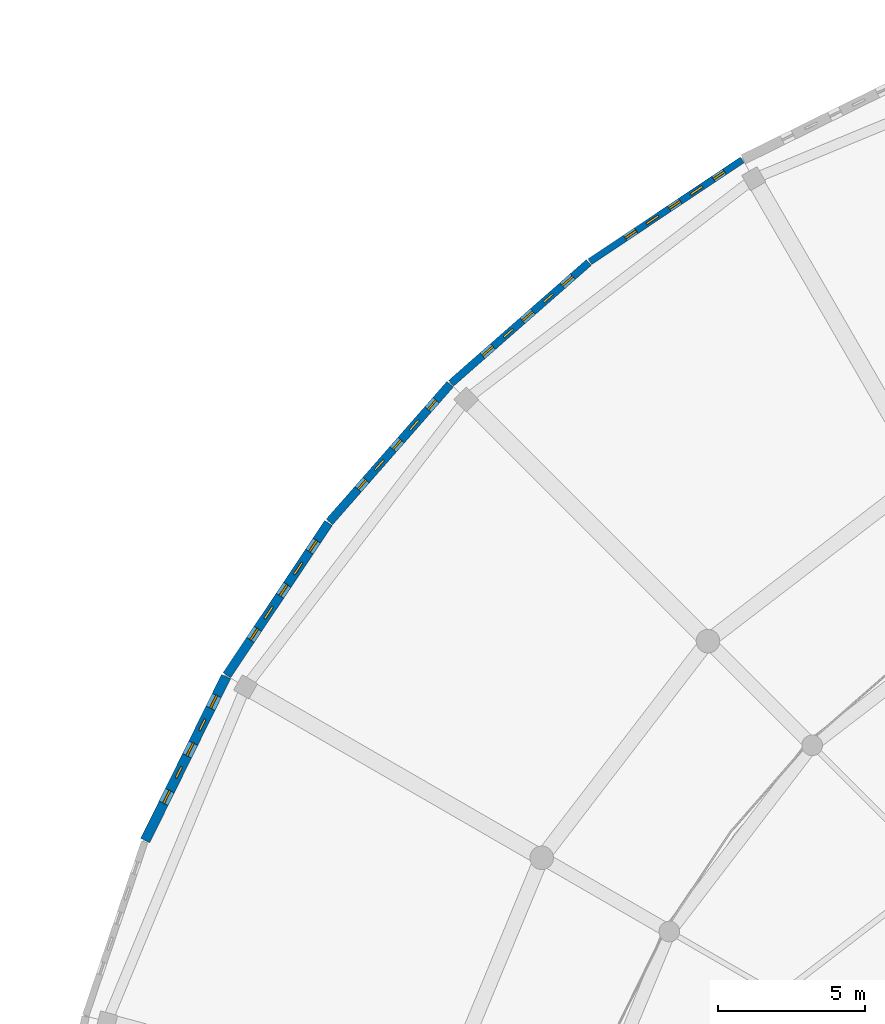
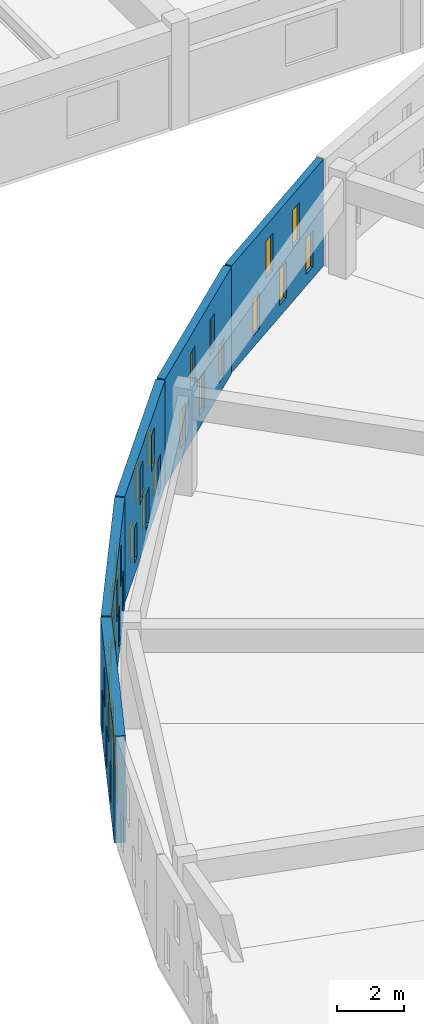
# One storey, part 63 of 98: 25 windows, 5 walls, 25 openings.
"""IFC4 building model written with IfcOpenShell, lengths in metres."""

from ifc_helpers import new_model, si_unit, direction, frame, frame_2d, origin, place, context, subcontext, project, spatial, rectangle, extrude, material, layer, layer_set, type_object, element, fill, save


model = new_model("IFC4")

# Units and contexts
model_context = context("Model", 3, precision=1e-05, world=origin(), true_north=direction((0.0, 1.0)))
body_context = subcontext(model_context, "Body", "Model", "MODEL_VIEW")
ifc_project = project(units=[si_unit("LENGTHUNIT", "METRE"), si_unit("AREAUNIT", "SQUARE_METRE"), si_unit("VOLUMEUNIT", "CUBIC_METRE"), si_unit("PLANEANGLEUNIT", "RADIAN"), si_unit("MASSUNIT", "GRAM", prefix="KILO")], contexts=[model_context])

# Site, building, storey
site_placement = place(None, origin())
site = spatial("IfcSite", under=ifc_project, at=site_placement, CompositionType="ELEMENT")
building_placement = place(site_placement, origin())
building = spatial("IfcBuilding", under=site, at=building_placement, Name="Larkveld Mobility Hub", CompositionType="ELEMENT")
storey_placement = place(building_placement, frame((0.0, 0.0, 4.5)))
storey = spatial("IfcBuildingStorey", under=building, at=storey_placement, Name="L01", CompositionType="ELEMENT", Elevation=4.5)

# Wall, openings, windows
ifc_material_1 = material(Name="Fired clay brick 25 MPa", Category="masonry")
ifc_layer_1 = layer(ifc_material_1, 0.22998046875, Name="Fired clay brick 25 MPa", Category="masonry")
ifc_layer_set_1 = layer_set([ifc_layer_1], Name="Fired clay brick 25 MPa")
wall_type_1 = type_object("IfcWallType", Name="WL-BRK-230", PredefinedType="USERDEFINED", material=ifc_layer_set_1)
wall_1_placement = place(storey_placement, frame((24.054931640625, 89.426025390625, 0.0), z_axis=(0.0, 0.0, 1.0), x_axis=(-0.831426871608, -0.555634193664, 0.0)))
wall_1 = element("IfcWall", 1, at=wall_1_placement, inside=storey, type_object=wall_type_1, Name="Drum Woven Open-Bond Brick Chord L01-0061", ObjectType="PERFORATED BRICK SCREEN", PredefinedType="USERDEFINED", context=body_context, shape_type="SweptSolid", body=[
    extrude(rectangle(XDim=6.210693359375, YDim=0.22998046875, at=frame_2d((3.10546875, 0.0))), origin(), (0.0, 0.0, 1.0), 3.89990234375),
])
opening_1_placement = place(wall_1_placement, frame((0.719970703125, 0.0, 0.419921875)))
opening_1 = element("IfcOpeningElement", 2, at=opening_1_placement, cuts=wall_1, Name="Opening W02", PredefinedType="OPENING", context=body_context, shape_type="SweptSolid", body=[
    extrude(rectangle(XDim=0.449951171875, YDim=1.320068359375, at=frame_2d((0.22509765625, 0.66015625))), frame((0.0, 0.125, 0.0), z_axis=(0.0, -1.0, 0.0), x_axis=(1.0, 0.0, 0.0)), (0.0, 0.0, 1.0), 0.25),
])
opening_2_placement = place(wall_1_placement, frame((2.52001953125, 0.0, 0.419921875)))
opening_2 = element("IfcOpeningElement", 3, at=opening_2_placement, cuts=wall_1, Name="Opening W02", PredefinedType="OPENING", context=body_context, shape_type="SweptSolid", body=[
    extrude(rectangle(XDim=0.449951171875, YDim=1.320068359375, at=frame_2d((0.22509765625, 0.66015625))), frame((0.0, 0.125, 0.0), z_axis=(0.0, -1.0, 0.0), x_axis=(1.0, 0.0, 0.0)), (0.0, 0.0, 1.0), 0.25),
])
opening_3_placement = place(wall_1_placement, frame((4.320068359375, 0.0, 0.419921875)))
opening_3 = element("IfcOpeningElement", 4, at=opening_3_placement, cuts=wall_1, Name="Opening W02", PredefinedType="OPENING", context=body_context, shape_type="SweptSolid", body=[
    extrude(rectangle(XDim=0.449951171875, YDim=1.320068359375, at=frame_2d((0.22509765625, 0.66015625))), frame((0.0, 0.125, 0.0), z_axis=(0.0, -1.0, 0.0), x_axis=(1.0, 0.0, 0.0)), (0.0, 0.0, 1.0), 0.25),
])
opening_4_placement = place(wall_1_placement, frame((1.6201171875, 0.0, 1.97998046875)))
opening_4 = element("IfcOpeningElement", 5, at=opening_4_placement, cuts=wall_1, Name="Opening W03", PredefinedType="OPENING", context=body_context, shape_type="SweptSolid", body=[
    extrude(rectangle(XDim=0.47998046875, YDim=1.360107421875, at=frame_2d((0.239990234375, 0.68017578125))), frame((0.0, 0.125, 0.0), z_axis=(0.0, -1.0, 0.0), x_axis=(1.0, 0.0, 0.0)), (0.0, 0.0, 1.0), 0.25),
])
opening_5_placement = place(wall_1_placement, frame((3.419921875, 0.0, 1.97998046875)))
opening_5 = element("IfcOpeningElement", 6, at=opening_5_placement, cuts=wall_1, Name="Opening W03", PredefinedType="OPENING", context=body_context, shape_type="SweptSolid", body=[
    extrude(rectangle(XDim=0.47998046875, YDim=1.360107421875, at=frame_2d((0.239990234375, 0.68017578125))), frame((0.0, 0.125, 0.0), z_axis=(0.0, -1.0, 0.0), x_axis=(1.0, 0.0, 0.0)), (0.0, 0.0, 1.0), 0.25),
])
ifc_material_2 = material(Name="Extruded aluminium ventilation grille", Category="aluminium")
window_type_1 = type_object("IfcWindowType", Name="WN-VENT-02", PartitioningType="SINGLE_PANEL", PredefinedType="WINDOW", material=ifc_material_2)
window_1_placement = place(opening_1_placement, origin())
window_1 = element("IfcWindow", 7, at=window_1_placement, inside=storey, type_object=window_type_1, Name="Window W02 (0291)", OverallHeight=1.320068359375, OverallWidth=0.449951171875, PartitioningType="SINGLE_PANEL", PredefinedType="WINDOW", context=body_context, shape_type="SweptSolid", body=[
    extrude(rectangle(XDim=0.449951171875, YDim=1.320068359375, at=frame_2d((0.22509765625, 0.66015625))), frame((0.0, 0.030029296875, 0.0), z_axis=(0.0, -1.0, 0.0), x_axis=(1.0, 0.0, 0.0)), (0.0, 0.0, 1.0), 0.06005859375),
])
fill(opening_1, window_1)
window_2_placement = place(opening_2_placement, origin())
window_2 = element("IfcWindow", 8, at=window_2_placement, inside=storey, type_object=window_type_1, Name="Window W02 (0292)", OverallHeight=1.320068359375, OverallWidth=0.449951171875, PartitioningType="SINGLE_PANEL", PredefinedType="WINDOW", context=body_context, shape_type="SweptSolid", body=[
    extrude(rectangle(XDim=0.449951171875, YDim=1.320068359375, at=frame_2d((0.22509765625, 0.66015625))), frame((0.0, 0.030029296875, 0.0), z_axis=(0.0, -1.0, 0.0), x_axis=(1.0, 0.0, 0.0)), (0.0, 0.0, 1.0), 0.06005859375),
])
fill(opening_2, window_2)
window_3_placement = place(opening_3_placement, origin())
window_3 = element("IfcWindow", 9, at=window_3_placement, inside=storey, type_object=window_type_1, Name="Window W02 (0293)", OverallHeight=1.320068359375, OverallWidth=0.449951171875, PartitioningType="SINGLE_PANEL", PredefinedType="WINDOW", context=body_context, shape_type="SweptSolid", body=[
    extrude(rectangle(XDim=0.449951171875, YDim=1.320068359375, at=frame_2d((0.22509765625, 0.66015625))), frame((0.0, 0.030029296875, 0.0), z_axis=(0.0, -1.0, 0.0), x_axis=(1.0, 0.0, 0.0)), (0.0, 0.0, 1.0), 0.06005859375),
])
fill(opening_3, window_3)
window_type_2 = type_object("IfcWindowType", Name="WN-VENT-03", PartitioningType="SINGLE_PANEL", PredefinedType="WINDOW", material=ifc_material_2)
window_4_placement = place(opening_4_placement, origin())
window_4 = element("IfcWindow", 10, at=window_4_placement, inside=storey, type_object=window_type_2, Name="Window W03 (0294)", OverallHeight=1.360107421875, OverallWidth=0.47998046875, PartitioningType="SINGLE_PANEL", PredefinedType="WINDOW", context=body_context, shape_type="SweptSolid", body=[
    extrude(rectangle(XDim=0.47998046875, YDim=1.360107421875, at=frame_2d((0.239990234375, 0.68017578125))), frame((0.0, 0.030029296875, 0.0), z_axis=(0.0, -1.0, 0.0), x_axis=(1.0, 0.0, 0.0)), (0.0, 0.0, 1.0), 0.06005859375),
])
fill(opening_4, window_4)
window_5_placement = place(opening_5_placement, origin())
window_5 = element("IfcWindow", 11, at=window_5_placement, inside=storey, type_object=window_type_2, Name="Window W03 (0295)", OverallHeight=1.360107421875, OverallWidth=0.47998046875, PartitioningType="SINGLE_PANEL", PredefinedType="WINDOW", context=body_context, shape_type="SweptSolid", body=[
    extrude(rectangle(XDim=0.47998046875, YDim=1.360107421875, at=frame_2d((0.239990234375, 0.68017578125))), frame((0.0, 0.030029296875, 0.0), z_axis=(0.0, -1.0, 0.0), x_axis=(1.0, 0.0, 0.0)), (0.0, 0.0, 1.0), 0.06005859375),
])
fill(opening_5, window_5)

ifc_layer_2 = layer(ifc_material_1, 0.260009765625, Name="Fired clay brick 25 MPa", Category="masonry")
ifc_layer_set_2 = layer_set([ifc_layer_2], Name="Fired clay brick 25 MPa")
wall_type_2 = type_object("IfcWallType", Name="WL-BRK-260", PredefinedType="USERDEFINED", material=ifc_layer_set_2)
wall_2_placement = place(storey_placement, frame((18.85302734375, 85.946044921875, 0.0), z_axis=(0.0, 0.0, 1.0), x_axis=(-0.751874993266, -0.65930569124, 0.0)))
wall_2 = element("IfcWall", 12, at=wall_2_placement, inside=storey, type_object=wall_type_2, Name="Drum Woven Open-Bond Brick Chord L01-0062", ObjectType="PERFORATED BRICK SCREEN", PredefinedType="USERDEFINED", context=body_context, shape_type="SweptSolid", body=[
    extrude(rectangle(XDim=6.2109375, YDim=0.260009765625, at=frame_2d((3.10546875, 0.0))), origin(), (0.0, 0.0, 1.0), 3.89990234375),
])
opening_6_placement = place(wall_2_placement, frame((0.719970703125, 0.0, 0.419921875)))
opening_6 = element("IfcOpeningElement", 13, at=opening_6_placement, cuts=wall_2, Name="Opening W03", PredefinedType="OPENING", context=body_context, shape_type="SweptSolid", body=[
    extrude(rectangle(XDim=0.47998046875, YDim=1.360107421875, at=frame_2d((0.239990234375, 0.68017578125))), frame((0.0, 0.14013671875, 0.0), z_axis=(0.0, -1.0, 0.0), x_axis=(1.0, 0.0, 0.0)), (0.0, 0.0, 1.0), 0.280029296875),
])
opening_7_placement = place(wall_2_placement, frame((2.52001953125, 0.0, 0.419921875)))
opening_7 = element("IfcOpeningElement", 14, at=opening_7_placement, cuts=wall_2, Name="Opening W03", PredefinedType="OPENING", context=body_context, shape_type="SweptSolid", body=[
    extrude(rectangle(XDim=0.47998046875, YDim=1.360107421875, at=frame_2d((0.239990234375, 0.68017578125))), frame((0.0, 0.14013671875, 0.0), z_axis=(0.0, -1.0, 0.0), x_axis=(1.0, 0.0, 0.0)), (0.0, 0.0, 1.0), 0.280029296875),
])
opening_8_placement = place(wall_2_placement, frame((4.320068359375, 0.0, 0.419921875)))
opening_8 = element("IfcOpeningElement", 15, at=opening_8_placement, cuts=wall_2, Name="Opening W03", PredefinedType="OPENING", context=body_context, shape_type="SweptSolid", body=[
    extrude(rectangle(XDim=0.47998046875, YDim=1.360107421875, at=frame_2d((0.239990234375, 0.68017578125))), frame((0.0, 0.14013671875, 0.0), z_axis=(0.0, -1.0, 0.0), x_axis=(1.0, 0.0, 0.0)), (0.0, 0.0, 1.0), 0.280029296875),
])
opening_9_placement = place(wall_2_placement, frame((1.6201171875, 0.0, 1.97998046875)))
opening_9 = element("IfcOpeningElement", 16, at=opening_9_placement, cuts=wall_2, Name="Opening W01", PredefinedType="OPENING", context=body_context, shape_type="SweptSolid", body=[
    extrude(rectangle(XDim=0.419921875, YDim=1.280029296875, at=frame_2d((0.2099609375, 0.64013671875))), frame((0.0, 0.14013671875, 0.0), z_axis=(0.0, -1.0, 0.0), x_axis=(1.0, 0.0, 0.0)), (0.0, 0.0, 1.0), 0.280029296875),
])
opening_10_placement = place(wall_2_placement, frame((3.419921875, 0.0, 1.97998046875)))
opening_10 = element("IfcOpeningElement", 17, at=opening_10_placement, cuts=wall_2, Name="Opening W01", PredefinedType="OPENING", context=body_context, shape_type="SweptSolid", body=[
    extrude(rectangle(XDim=0.419921875, YDim=1.280029296875, at=frame_2d((0.2099609375, 0.64013671875))), frame((0.0, 0.14013671875, 0.0), z_axis=(0.0, -1.0, 0.0), x_axis=(1.0, 0.0, 0.0)), (0.0, 0.0, 1.0), 0.280029296875),
])
window_type_3 = type_object("IfcWindowType", Name="WN-VENT-01", PartitioningType="SINGLE_PANEL", PredefinedType="WINDOW", material=ifc_material_2)
window_6_placement = place(opening_9_placement, origin())
window_6 = element("IfcWindow", 18, at=window_6_placement, inside=storey, type_object=window_type_3, Name="Window W01 (0299)", OverallHeight=1.280029296875, OverallWidth=0.419921875, PartitioningType="SINGLE_PANEL", PredefinedType="WINDOW", context=body_context, shape_type="SweptSolid", body=[
    extrude(rectangle(XDim=0.419921875, YDim=1.280029296875, at=frame_2d((0.2099609375, 0.64013671875))), frame((0.0, 0.030029296875, 0.0), z_axis=(0.0, -1.0, 0.0), x_axis=(1.0, 0.0, 0.0)), (0.0, 0.0, 1.0), 0.06005859375),
])
fill(opening_9, window_6)
window_7_placement = place(opening_10_placement, origin())
window_7 = element("IfcWindow", 19, at=window_7_placement, inside=storey, type_object=window_type_3, Name="Window W01 (0300)", OverallHeight=1.280029296875, OverallWidth=0.419921875, PartitioningType="SINGLE_PANEL", PredefinedType="WINDOW", context=body_context, shape_type="SweptSolid", body=[
    extrude(rectangle(XDim=0.419921875, YDim=1.280029296875, at=frame_2d((0.2099609375, 0.64013671875))), frame((0.0, 0.030029296875, 0.0), z_axis=(0.0, -1.0, 0.0), x_axis=(1.0, 0.0, 0.0)), (0.0, 0.0, 1.0), 0.06005859375),
])
fill(opening_10, window_7)
window_8_placement = place(opening_6_placement, origin())
window_8 = element("IfcWindow", 20, at=window_8_placement, inside=storey, type_object=window_type_2, Name="Window W03 (0296)", OverallHeight=1.360107421875, OverallWidth=0.47998046875, PartitioningType="SINGLE_PANEL", PredefinedType="WINDOW", context=body_context, shape_type="SweptSolid", body=[
    extrude(rectangle(XDim=0.47998046875, YDim=1.360107421875, at=frame_2d((0.239990234375, 0.68017578125))), frame((0.0, 0.030029296875, 0.0), z_axis=(0.0, -1.0, 0.0), x_axis=(1.0, 0.0, 0.0)), (0.0, 0.0, 1.0), 0.06005859375),
])
fill(opening_6, window_8)
window_9_placement = place(opening_7_placement, origin())
window_9 = element("IfcWindow", 21, at=window_9_placement, inside=storey, type_object=window_type_2, Name="Window W03 (0297)", OverallHeight=1.360107421875, OverallWidth=0.47998046875, PartitioningType="SINGLE_PANEL", PredefinedType="WINDOW", context=body_context, shape_type="SweptSolid", body=[
    extrude(rectangle(XDim=0.47998046875, YDim=1.360107421875, at=frame_2d((0.239990234375, 0.68017578125))), frame((0.0, 0.030029296875, 0.0), z_axis=(0.0, -1.0, 0.0), x_axis=(1.0, 0.0, 0.0)), (0.0, 0.0, 1.0), 0.06005859375),
])
fill(opening_7, window_9)
window_10_placement = place(opening_8_placement, origin())
window_10 = element("IfcWindow", 22, at=window_10_placement, inside=storey, type_object=window_type_2, Name="Window W03 (0298)", OverallHeight=1.360107421875, OverallWidth=0.47998046875, PartitioningType="SINGLE_PANEL", PredefinedType="WINDOW", context=body_context, shape_type="SweptSolid", body=[
    extrude(rectangle(XDim=0.47998046875, YDim=1.360107421875, at=frame_2d((0.239990234375, 0.68017578125))), frame((0.0, 0.030029296875, 0.0), z_axis=(0.0, -1.0, 0.0), x_axis=(1.0, 0.0, 0.0)), (0.0, 0.0, 1.0), 0.06005859375),
])
fill(opening_8, window_10)

ifc_layer_3 = layer(ifc_material_1, 0.2900390625, Name="Fired clay brick 25 MPa", Category="masonry")
ifc_layer_set_3 = layer_set([ifc_layer_3], Name="Fired clay brick 25 MPa")
wall_type_3 = type_object("IfcWallType", Name="WL-BRK-290", PredefinedType="USERDEFINED", material=ifc_layer_set_3)
wall_3_placement = place(storey_placement, frame((14.14892578125, 81.81689453125, 0.0), z_axis=(0.0, 0.0, 1.0), x_axis=(-0.65930569124, -0.751874993266, 0.0)))
wall_3 = element("IfcWall", 23, at=wall_3_placement, inside=storey, type_object=wall_type_3, Name="Drum Woven Open-Bond Brick Chord L01-0063", ObjectType="PERFORATED BRICK SCREEN", PredefinedType="USERDEFINED", context=body_context, shape_type="SweptSolid", body=[
    extrude(rectangle(XDim=6.2109375, YDim=0.2900390625, at=frame_2d((3.10546875, 0.0))), origin(), (0.0, 0.0, 1.0), 3.89990234375),
])
opening_11_placement = place(wall_3_placement, frame((0.719970703125, 0.0, 0.419921875)))
opening_11 = element("IfcOpeningElement", 24, at=opening_11_placement, cuts=wall_3, Name="Opening W01", PredefinedType="OPENING", context=body_context, shape_type="SweptSolid", body=[
    extrude(rectangle(XDim=0.419921875, YDim=1.280029296875, at=frame_2d((0.2099609375, 0.64013671875))), frame((0.0, 0.155029296875, 0.0), z_axis=(0.0, -1.0, 0.0), x_axis=(1.0, 0.0, 0.0)), (0.0, 0.0, 1.0), 0.31005859375),
])
opening_12_placement = place(wall_3_placement, frame((2.52001953125, 0.0, 0.419921875)))
opening_12 = element("IfcOpeningElement", 25, at=opening_12_placement, cuts=wall_3, Name="Opening W01", PredefinedType="OPENING", context=body_context, shape_type="SweptSolid", body=[
    extrude(rectangle(XDim=0.419921875, YDim=1.280029296875, at=frame_2d((0.2099609375, 0.64013671875))), frame((0.0, 0.155029296875, 0.0), z_axis=(0.0, -1.0, 0.0), x_axis=(1.0, 0.0, 0.0)), (0.0, 0.0, 1.0), 0.31005859375),
])
opening_13_placement = place(wall_3_placement, frame((4.320068359375, 0.0, 0.419921875)))
opening_13 = element("IfcOpeningElement", 26, at=opening_13_placement, cuts=wall_3, Name="Opening W01", PredefinedType="OPENING", context=body_context, shape_type="SweptSolid", body=[
    extrude(rectangle(XDim=0.419921875, YDim=1.280029296875, at=frame_2d((0.2099609375, 0.64013671875))), frame((0.0, 0.155029296875, 0.0), z_axis=(0.0, -1.0, 0.0), x_axis=(1.0, 0.0, 0.0)), (0.0, 0.0, 1.0), 0.31005859375),
])
opening_14_placement = place(wall_3_placement, frame((1.6201171875, 0.0, 1.97998046875)))
opening_14 = element("IfcOpeningElement", 27, at=opening_14_placement, cuts=wall_3, Name="Opening W02", PredefinedType="OPENING", context=body_context, shape_type="SweptSolid", body=[
    extrude(rectangle(XDim=0.449951171875, YDim=1.320068359375, at=frame_2d((0.22509765625, 0.66015625))), frame((0.0, 0.155029296875, 0.0), z_axis=(0.0, -1.0, 0.0), x_axis=(1.0, 0.0, 0.0)), (0.0, 0.0, 1.0), 0.31005859375),
])
opening_15_placement = place(wall_3_placement, frame((3.419921875, 0.0, 1.97998046875)))
opening_15 = element("IfcOpeningElement", 28, at=opening_15_placement, cuts=wall_3, Name="Opening W02", PredefinedType="OPENING", context=body_context, shape_type="SweptSolid", body=[
    extrude(rectangle(XDim=0.449951171875, YDim=1.320068359375, at=frame_2d((0.22509765625, 0.66015625))), frame((0.0, 0.155029296875, 0.0), z_axis=(0.0, -1.0, 0.0), x_axis=(1.0, 0.0, 0.0)), (0.0, 0.0, 1.0), 0.31005859375),
])
window_11_placement = place(opening_11_placement, origin())
window_11 = element("IfcWindow", 29, at=window_11_placement, inside=storey, type_object=window_type_3, Name="Window W01 (0301)", OverallHeight=1.280029296875, OverallWidth=0.419921875, PartitioningType="SINGLE_PANEL", PredefinedType="WINDOW", context=body_context, shape_type="SweptSolid", body=[
    extrude(rectangle(XDim=0.419921875, YDim=1.280029296875, at=frame_2d((0.2099609375, 0.64013671875))), frame((0.0, 0.030029296875, 0.0), z_axis=(0.0, -1.0, 0.0), x_axis=(1.0, 0.0, 0.0)), (0.0, 0.0, 1.0), 0.06005859375),
])
fill(opening_11, window_11)
window_12_placement = place(opening_12_placement, origin())
window_12 = element("IfcWindow", 30, at=window_12_placement, inside=storey, type_object=window_type_3, Name="Window W01 (0302)", OverallHeight=1.280029296875, OverallWidth=0.419921875, PartitioningType="SINGLE_PANEL", PredefinedType="WINDOW", context=body_context, shape_type="SweptSolid", body=[
    extrude(rectangle(XDim=0.419921875, YDim=1.280029296875, at=frame_2d((0.2099609375, 0.64013671875))), frame((0.0, 0.030029296875, 0.0), z_axis=(0.0, -1.0, 0.0), x_axis=(1.0, 0.0, 0.0)), (0.0, 0.0, 1.0), 0.06005859375),
])
fill(opening_12, window_12)
window_13_placement = place(opening_13_placement, origin())
window_13 = element("IfcWindow", 31, at=window_13_placement, inside=storey, type_object=window_type_3, Name="Window W01 (0303)", OverallHeight=1.280029296875, OverallWidth=0.419921875, PartitioningType="SINGLE_PANEL", PredefinedType="WINDOW", context=body_context, shape_type="SweptSolid", body=[
    extrude(rectangle(XDim=0.419921875, YDim=1.280029296875, at=frame_2d((0.2099609375, 0.64013671875))), frame((0.0, 0.030029296875, 0.0), z_axis=(0.0, -1.0, 0.0), x_axis=(1.0, 0.0, 0.0)), (0.0, 0.0, 1.0), 0.06005859375),
])
fill(opening_13, window_13)
window_14_placement = place(opening_14_placement, origin())
window_14 = element("IfcWindow", 32, at=window_14_placement, inside=storey, type_object=window_type_1, Name="Window W02 (0304)", OverallHeight=1.320068359375, OverallWidth=0.449951171875, PartitioningType="SINGLE_PANEL", PredefinedType="WINDOW", context=body_context, shape_type="SweptSolid", body=[
    extrude(rectangle(XDim=0.449951171875, YDim=1.320068359375, at=frame_2d((0.22509765625, 0.66015625))), frame((0.0, 0.030029296875, 0.0), z_axis=(0.0, -1.0, 0.0), x_axis=(1.0, 0.0, 0.0)), (0.0, 0.0, 1.0), 0.06005859375),
])
fill(opening_14, window_14)
window_15_placement = place(opening_15_placement, origin())
window_15 = element("IfcWindow", 33, at=window_15_placement, inside=storey, type_object=window_type_1, Name="Window W02 (0305)", OverallHeight=1.320068359375, OverallWidth=0.449951171875, PartitioningType="SINGLE_PANEL", PredefinedType="WINDOW", context=body_context, shape_type="SweptSolid", body=[
    extrude(rectangle(XDim=0.449951171875, YDim=1.320068359375, at=frame_2d((0.22509765625, 0.66015625))), frame((0.0, 0.030029296875, 0.0), z_axis=(0.0, -1.0, 0.0), x_axis=(1.0, 0.0, 0.0)), (0.0, 0.0, 1.0), 0.06005859375),
])
fill(opening_15, window_15)

ifc_layer_4 = layer(ifc_material_1, 0.31005859375, Name="Fired clay brick 25 MPa", Category="masonry")
ifc_layer_set_4 = layer_set([ifc_layer_4], Name="Fired clay brick 25 MPa")
wall_type_4 = type_object("IfcWallType", Name="WL-BRK-310", PredefinedType="USERDEFINED", material=ifc_layer_set_4)
wall_4_placement = place(storey_placement, frame((10.02490234375, 77.10888671875, 0.0), z_axis=(0.0, 0.0, 1.0), x_axis=(-0.555634193664, -0.831426871608, 0.0)))
wall_4 = element("IfcWall", 34, at=wall_4_placement, inside=storey, type_object=wall_type_4, Name="Drum Woven Open-Bond Brick Chord L01-0064", ObjectType="PERFORATED BRICK SCREEN", PredefinedType="USERDEFINED", context=body_context, shape_type="SweptSolid", body=[
    extrude(rectangle(XDim=6.210693359375, YDim=0.31005859375, at=frame_2d((3.10546875, 0.0))), origin(), (0.0, 0.0, 1.0), 3.89990234375),
])
opening_16_placement = place(wall_4_placement, frame((0.719970703125, 0.0, 0.419921875)))
opening_16 = element("IfcOpeningElement", 35, at=opening_16_placement, cuts=wall_4, Name="Opening W02", PredefinedType="OPENING", context=body_context, shape_type="SweptSolid", body=[
    extrude(rectangle(XDim=0.449951171875, YDim=1.320068359375, at=frame_2d((0.22509765625, 0.66015625))), frame((0.0, 0.1650390625, 0.0), z_axis=(0.0, -1.0, 0.0), x_axis=(1.0, 0.0, 0.0)), (0.0, 0.0, 1.0), 0.330078125),
])
opening_17_placement = place(wall_4_placement, frame((2.52001953125, 0.0, 0.419921875)))
opening_17 = element("IfcOpeningElement", 36, at=opening_17_placement, cuts=wall_4, Name="Opening W02", PredefinedType="OPENING", context=body_context, shape_type="SweptSolid", body=[
    extrude(rectangle(XDim=0.449951171875, YDim=1.320068359375, at=frame_2d((0.22509765625, 0.66015625))), frame((0.0, 0.1650390625, 0.0), z_axis=(0.0, -1.0, 0.0), x_axis=(1.0, 0.0, 0.0)), (0.0, 0.0, 1.0), 0.330078125),
])
opening_18_placement = place(wall_4_placement, frame((4.320068359375, 0.0, 0.419921875)))
opening_18 = element("IfcOpeningElement", 37, at=opening_18_placement, cuts=wall_4, Name="Opening W02", PredefinedType="OPENING", context=body_context, shape_type="SweptSolid", body=[
    extrude(rectangle(XDim=0.449951171875, YDim=1.320068359375, at=frame_2d((0.22509765625, 0.66015625))), frame((0.0, 0.1650390625, 0.0), z_axis=(0.0, -1.0, 0.0), x_axis=(1.0, 0.0, 0.0)), (0.0, 0.0, 1.0), 0.330078125),
])
opening_19_placement = place(wall_4_placement, frame((1.6201171875, 0.0, 1.97998046875)))
opening_19 = element("IfcOpeningElement", 38, at=opening_19_placement, cuts=wall_4, Name="Opening W03", PredefinedType="OPENING", context=body_context, shape_type="SweptSolid", body=[
    extrude(rectangle(XDim=0.47998046875, YDim=1.360107421875, at=frame_2d((0.239990234375, 0.68017578125))), frame((0.0, 0.1650390625, 0.0), z_axis=(0.0, -1.0, 0.0), x_axis=(1.0, 0.0, 0.0)), (0.0, 0.0, 1.0), 0.330078125),
])
opening_20_placement = place(wall_4_placement, frame((3.419921875, 0.0, 1.97998046875)))
opening_20 = element("IfcOpeningElement", 39, at=opening_20_placement, cuts=wall_4, Name="Opening W03", PredefinedType="OPENING", context=body_context, shape_type="SweptSolid", body=[
    extrude(rectangle(XDim=0.47998046875, YDim=1.360107421875, at=frame_2d((0.239990234375, 0.68017578125))), frame((0.0, 0.1650390625, 0.0), z_axis=(0.0, -1.0, 0.0), x_axis=(1.0, 0.0, 0.0)), (0.0, 0.0, 1.0), 0.330078125),
])
window_16_placement = place(opening_16_placement, origin())
window_16 = element("IfcWindow", 40, at=window_16_placement, inside=storey, type_object=window_type_1, Name="Window W02 (0306)", OverallHeight=1.320068359375, OverallWidth=0.449951171875, PartitioningType="SINGLE_PANEL", PredefinedType="WINDOW", context=body_context, shape_type="SweptSolid", body=[
    extrude(rectangle(XDim=0.449951171875, YDim=1.320068359375, at=frame_2d((0.22509765625, 0.66015625))), frame((0.0, 0.030029296875, 0.0), z_axis=(0.0, -1.0, 0.0), x_axis=(1.0, 0.0, 0.0)), (0.0, 0.0, 1.0), 0.06005859375),
])
fill(opening_16, window_16)
window_17_placement = place(opening_17_placement, origin())
window_17 = element("IfcWindow", 41, at=window_17_placement, inside=storey, type_object=window_type_1, Name="Window W02 (0307)", OverallHeight=1.320068359375, OverallWidth=0.449951171875, PartitioningType="SINGLE_PANEL", PredefinedType="WINDOW", context=body_context, shape_type="SweptSolid", body=[
    extrude(rectangle(XDim=0.449951171875, YDim=1.320068359375, at=frame_2d((0.22509765625, 0.66015625))), frame((0.0, 0.030029296875, 0.0), z_axis=(0.0, -1.0, 0.0), x_axis=(1.0, 0.0, 0.0)), (0.0, 0.0, 1.0), 0.06005859375),
])
fill(opening_17, window_17)
window_18_placement = place(opening_18_placement, origin())
window_18 = element("IfcWindow", 42, at=window_18_placement, inside=storey, type_object=window_type_1, Name="Window W02 (0308)", OverallHeight=1.320068359375, OverallWidth=0.449951171875, PartitioningType="SINGLE_PANEL", PredefinedType="WINDOW", context=body_context, shape_type="SweptSolid", body=[
    extrude(rectangle(XDim=0.449951171875, YDim=1.320068359375, at=frame_2d((0.22509765625, 0.66015625))), frame((0.0, 0.030029296875, 0.0), z_axis=(0.0, -1.0, 0.0), x_axis=(1.0, 0.0, 0.0)), (0.0, 0.0, 1.0), 0.06005859375),
])
fill(opening_18, window_18)
window_19_placement = place(opening_19_placement, origin())
window_19 = element("IfcWindow", 43, at=window_19_placement, inside=storey, type_object=window_type_2, Name="Window W03 (0309)", OverallHeight=1.360107421875, OverallWidth=0.47998046875, PartitioningType="SINGLE_PANEL", PredefinedType="WINDOW", context=body_context, shape_type="SweptSolid", body=[
    extrude(rectangle(XDim=0.47998046875, YDim=1.360107421875, at=frame_2d((0.239990234375, 0.68017578125))), frame((0.0, 0.030029296875, 0.0), z_axis=(0.0, -1.0, 0.0), x_axis=(1.0, 0.0, 0.0)), (0.0, 0.0, 1.0), 0.06005859375),
])
fill(opening_19, window_19)
window_20_placement = place(opening_20_placement, origin())
window_20 = element("IfcWindow", 44, at=window_20_placement, inside=storey, type_object=window_type_2, Name="Window W03 (0310)", OverallHeight=1.360107421875, OverallWidth=0.47998046875, PartitioningType="SINGLE_PANEL", PredefinedType="WINDOW", context=body_context, shape_type="SweptSolid", body=[
    extrude(rectangle(XDim=0.47998046875, YDim=1.360107421875, at=frame_2d((0.239990234375, 0.68017578125))), frame((0.0, 0.030029296875, 0.0), z_axis=(0.0, -1.0, 0.0), x_axis=(1.0, 0.0, 0.0)), (0.0, 0.0, 1.0), 0.06005859375),
])
fill(opening_20, window_20)

ifc_layer_5 = layer(ifc_material_1, 0.340087890625, Name="Fired clay brick 25 MPa", Category="masonry")
ifc_layer_set_5 = layer_set([ifc_layer_5], Name="Fired clay brick 25 MPa")
wall_type_5 = type_object("IfcWallType", Name="WL-BRK-340", PredefinedType="USERDEFINED", material=ifc_layer_set_5)
wall_5_placement = place(storey_placement, frame((6.550048828125, 71.903076171875, 0.0), z_axis=(0.0, 0.0, 1.0), x_axis=(-0.442316740488, -0.896858908126, 0.0)))
wall_5 = element("IfcWall", 45, at=wall_5_placement, inside=storey, type_object=wall_type_5, Name="Drum Woven Open-Bond Brick Chord L01-0065", ObjectType="PERFORATED BRICK SCREEN", PredefinedType="USERDEFINED", context=body_context, shape_type="SweptSolid", body=[
    extrude(rectangle(XDim=6.210693359375, YDim=0.340087890625, at=frame_2d((3.10546875, 0.0))), origin(), (0.0, 0.0, 1.0), 3.89990234375),
])
opening_21_placement = place(wall_5_placement, frame((0.719970703125, 0.0, 0.419921875)))
opening_21 = element("IfcOpeningElement", 46, at=opening_21_placement, cuts=wall_5, Name="Opening W03", PredefinedType="OPENING", context=body_context, shape_type="SweptSolid", body=[
    extrude(rectangle(XDim=0.47998046875, YDim=1.360107421875, at=frame_2d((0.239990234375, 0.68017578125))), frame((0.0, 0.18017578125, 0.0), z_axis=(0.0, -1.0, 0.0), x_axis=(1.0, 0.0, 0.0)), (0.0, 0.0, 1.0), 0.360107421875),
])
opening_22_placement = place(wall_5_placement, frame((2.52001953125, 0.0, 0.419921875)))
opening_22 = element("IfcOpeningElement", 47, at=opening_22_placement, cuts=wall_5, Name="Opening W03", PredefinedType="OPENING", context=body_context, shape_type="SweptSolid", body=[
    extrude(rectangle(XDim=0.47998046875, YDim=1.360107421875, at=frame_2d((0.239990234375, 0.68017578125))), frame((0.0, 0.18017578125, 0.0), z_axis=(0.0, -1.0, 0.0), x_axis=(1.0, 0.0, 0.0)), (0.0, 0.0, 1.0), 0.360107421875),
])
opening_23_placement = place(wall_5_placement, frame((4.320068359375, 0.0, 0.419921875)))
opening_23 = element("IfcOpeningElement", 48, at=opening_23_placement, cuts=wall_5, Name="Opening W03", PredefinedType="OPENING", context=body_context, shape_type="SweptSolid", body=[
    extrude(rectangle(XDim=0.47998046875, YDim=1.360107421875, at=frame_2d((0.239990234375, 0.68017578125))), frame((0.0, 0.18017578125, 0.0), z_axis=(0.0, -1.0, 0.0), x_axis=(1.0, 0.0, 0.0)), (0.0, 0.0, 1.0), 0.360107421875),
])
opening_24_placement = place(wall_5_placement, frame((1.6201171875, 0.0, 1.97998046875)))
opening_24 = element("IfcOpeningElement", 49, at=opening_24_placement, cuts=wall_5, Name="Opening W01", PredefinedType="OPENING", context=body_context, shape_type="SweptSolid", body=[
    extrude(rectangle(XDim=0.419921875, YDim=1.280029296875, at=frame_2d((0.2099609375, 0.64013671875))), frame((0.0, 0.18017578125, 0.0), z_axis=(0.0, -1.0, 0.0), x_axis=(1.0, 0.0, 0.0)), (0.0, 0.0, 1.0), 0.360107421875),
])
opening_25_placement = place(wall_5_placement, frame((3.419921875, 0.0, 1.97998046875)))
opening_25 = element("IfcOpeningElement", 50, at=opening_25_placement, cuts=wall_5, Name="Opening W01", PredefinedType="OPENING", context=body_context, shape_type="SweptSolid", body=[
    extrude(rectangle(XDim=0.419921875, YDim=1.280029296875, at=frame_2d((0.2099609375, 0.64013671875))), frame((0.0, 0.18017578125, 0.0), z_axis=(0.0, -1.0, 0.0), x_axis=(1.0, 0.0, 0.0)), (0.0, 0.0, 1.0), 0.360107421875),
])
window_21_placement = place(opening_24_placement, origin())
window_21 = element("IfcWindow", 51, at=window_21_placement, inside=storey, type_object=window_type_3, Name="Window W01 (0314)", OverallHeight=1.280029296875, OverallWidth=0.419921875, PartitioningType="SINGLE_PANEL", PredefinedType="WINDOW", context=body_context, shape_type="SweptSolid", body=[
    extrude(rectangle(XDim=0.419921875, YDim=1.280029296875, at=frame_2d((0.2099609375, 0.64013671875))), frame((0.0, 0.030029296875, 0.0), z_axis=(0.0, -1.0, 0.0), x_axis=(1.0, 0.0, 0.0)), (0.0, 0.0, 1.0), 0.06005859375),
])
fill(opening_24, window_21)
window_22_placement = place(opening_25_placement, origin())
window_22 = element("IfcWindow", 52, at=window_22_placement, inside=storey, type_object=window_type_3, Name="Window W01 (0315)", OverallHeight=1.280029296875, OverallWidth=0.419921875, PartitioningType="SINGLE_PANEL", PredefinedType="WINDOW", context=body_context, shape_type="SweptSolid", body=[
    extrude(rectangle(XDim=0.419921875, YDim=1.280029296875, at=frame_2d((0.2099609375, 0.64013671875))), frame((0.0, 0.030029296875, 0.0), z_axis=(0.0, -1.0, 0.0), x_axis=(1.0, 0.0, 0.0)), (0.0, 0.0, 1.0), 0.06005859375),
])
fill(opening_25, window_22)
window_23_placement = place(opening_21_placement, origin())
window_23 = element("IfcWindow", 53, at=window_23_placement, inside=storey, type_object=window_type_2, Name="Window W03 (0311)", OverallHeight=1.360107421875, OverallWidth=0.47998046875, PartitioningType="SINGLE_PANEL", PredefinedType="WINDOW", context=body_context, shape_type="SweptSolid", body=[
    extrude(rectangle(XDim=0.47998046875, YDim=1.360107421875, at=frame_2d((0.239990234375, 0.68017578125))), frame((0.0, 0.030029296875, 0.0), z_axis=(0.0, -1.0, 0.0), x_axis=(1.0, 0.0, 0.0)), (0.0, 0.0, 1.0), 0.06005859375),
])
fill(opening_21, window_23)
window_24_placement = place(opening_22_placement, origin())
window_24 = element("IfcWindow", 54, at=window_24_placement, inside=storey, type_object=window_type_2, Name="Window W03 (0312)", OverallHeight=1.360107421875, OverallWidth=0.47998046875, PartitioningType="SINGLE_PANEL", PredefinedType="WINDOW", context=body_context, shape_type="SweptSolid", body=[
    extrude(rectangle(XDim=0.47998046875, YDim=1.360107421875, at=frame_2d((0.239990234375, 0.68017578125))), frame((0.0, 0.030029296875, 0.0), z_axis=(0.0, -1.0, 0.0), x_axis=(1.0, 0.0, 0.0)), (0.0, 0.0, 1.0), 0.06005859375),
])
fill(opening_22, window_24)
window_25_placement = place(opening_23_placement, origin())
window_25 = element("IfcWindow", 55, at=window_25_placement, inside=storey, type_object=window_type_2, Name="Window W03 (0313)", OverallHeight=1.360107421875, OverallWidth=0.47998046875, PartitioningType="SINGLE_PANEL", PredefinedType="WINDOW", context=body_context, shape_type="SweptSolid", body=[
    extrude(rectangle(XDim=0.47998046875, YDim=1.360107421875, at=frame_2d((0.239990234375, 0.68017578125))), frame((0.0, 0.030029296875, 0.0), z_axis=(0.0, -1.0, 0.0), x_axis=(1.0, 0.0, 0.0)), (0.0, 0.0, 1.0), 0.06005859375),
])
fill(opening_23, window_25)

save(model, "model.ifc")
